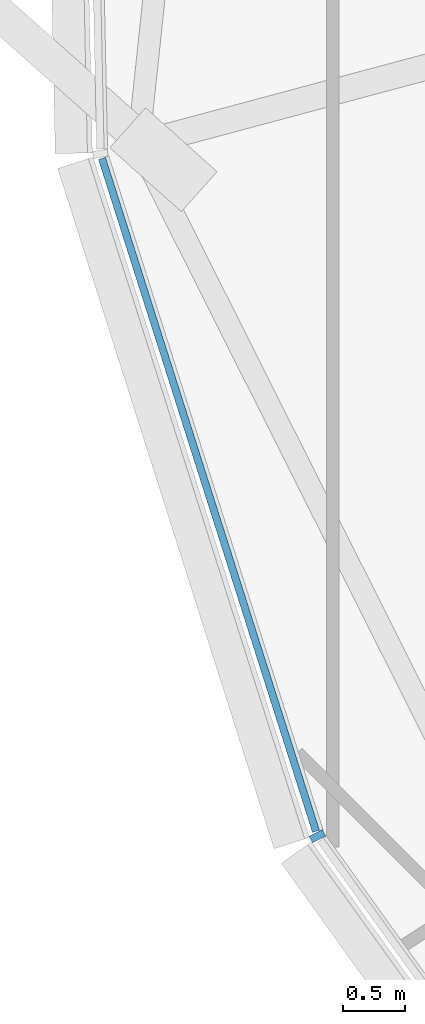
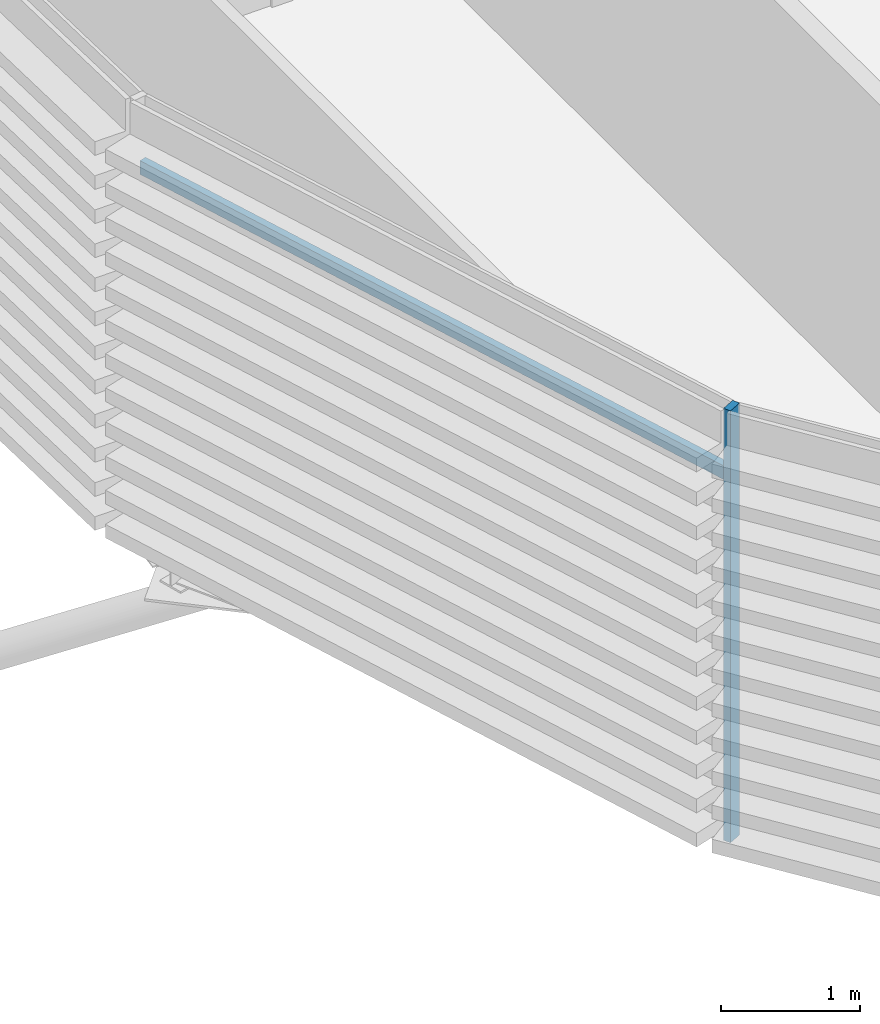
# One storey, part 7 of 37: 2 members, 1 element without a shape of its own.
"""IFC4 building model written with IfcOpenShell, lengths in metres."""

from ifc_helpers import new_model, si_unit, direction, frame, origin, origin_2d, place, context, subcontext, project, spatial, rectangle, extrude, material, material_profile, profile_set, type_object, element, aggregate, save


model = new_model("IFC4")

# Units and contexts
model_context = context("Model", 3, precision=1e-05, world=origin(), true_north=direction((0.0, 1.0)))
body_context = subcontext(model_context, "Body", "Model", "MODEL_VIEW")
ifc_project = project(units=[si_unit("LENGTHUNIT", "METRE"), si_unit("AREAUNIT", "SQUARE_METRE"), si_unit("VOLUMEUNIT", "CUBIC_METRE"), si_unit("PLANEANGLEUNIT", "RADIAN"), si_unit("MASSUNIT", "GRAM", prefix="KILO")], contexts=[model_context])

# Site, building, storey
site_placement = place(None, origin())
site = spatial("IfcSite", under=ifc_project, at=site_placement, CompositionType="ELEMENT")
building_placement = place(site_placement, origin())
building = spatial("IfcBuilding", under=site, at=building_placement, Name="Rimbun Link Towers", CompositionType="ELEMENT")
storey_placement = place(building_placement, frame((0.0, 0.0, 166.5)))
storey = spatial("IfcBuildingStorey", under=building, at=storey_placement, Name="L40", CompositionType="ELEMENT", Elevation=166.5)

# Curtain wall, members
ifc_material_1 = material(Name="Aluminium 6063-T6 and low-iron glass", Category="aluminium")
curtain_wall_type = type_object("IfcCurtainWallType", Name="CW1-Z3 unitised vision wall (zone 3)", PredefinedType="NOTDEFINED", material=ifc_material_1)
curtain_wall_placement = place(storey_placement, origin())
curtain_wall = element("IfcCurtainWall", 1, at=curtain_wall_placement, inside=storey, type_object=curtain_wall_type, Name="CW1 L40 T2", PredefinedType="NOTDEFINED")
ifc_material_2 = material(Name="Aluminium 6063-T6", Category="aluminium")
ifc_material_profile_1 = material_profile(ifc_material_2, rectangle(XDim=0.1201171875, YDim=0.06005859375, at=origin_2d()), Name="MULLION 60X120")
ifc_profile_set_1 = profile_set([ifc_material_profile_1], Name="Aluminium 6063-T6")
member_type_1 = type_object("IfcMemberType", Name="CW1 mullion 60X120", PredefinedType="MULLION", material=ifc_profile_set_1)
member_1_placement = place(storey_placement, frame((12.4296875, -11.150634765625, 0.0), z_axis=(0.0, 0.0, 1.0), x_axis=(-0.893743983929, -0.448577408247, 0.0)))
member_1 = element("IfcMember", 2, at=member_1_placement, type_object=member_type_1, Name="CW1 mullion", PredefinedType="MULLION", context=body_context, shape_type="SweptSolid", body=[
    extrude(rectangle(XDim=0.1201171875, YDim=0.06005859375, at=origin_2d()), origin(), (0.0, 0.0, 1.0), 3.800048828125),
])
ifc_material_3 = material(Name="Aluminium 6063-T6", Category="aluminium")
ifc_material_profile_2 = material_profile(ifc_material_3, rectangle(XDim=0.06005859375, YDim=0.1201171875, at=origin_2d()), Name="TRANSOM 60X120")
ifc_profile_set_2 = profile_set([ifc_material_profile_2], Name="Aluminium 6063-T6")
member_type_2 = type_object("IfcMemberType", Name="CW1 transom 60X120", PredefinedType="USERDEFINED", material=ifc_profile_set_2)
member_2_placement = place(storey_placement, frame((12.4189453125, -11.112548828125, 3.199951171875), z_axis=(-0.303074689042, 0.95296680575, 0.0), x_axis=(-0.95296680575, -0.303074689042, 0.0)))
member_2 = element("IfcMember", 3, at=member_2_placement, type_object=member_type_2, Name="CW1 transom", ObjectType="TRANSOM", PredefinedType="USERDEFINED", context=body_context, shape_type="SweptSolid", body=[
    extrude(rectangle(XDim=0.06005859375, YDim=0.1201171875, at=origin_2d()), origin(), (0.0, 0.0, 1.0), 5.7041015625),
])
aggregate(curtain_wall, [member_1, member_2])

save(model, "model.ifc")
